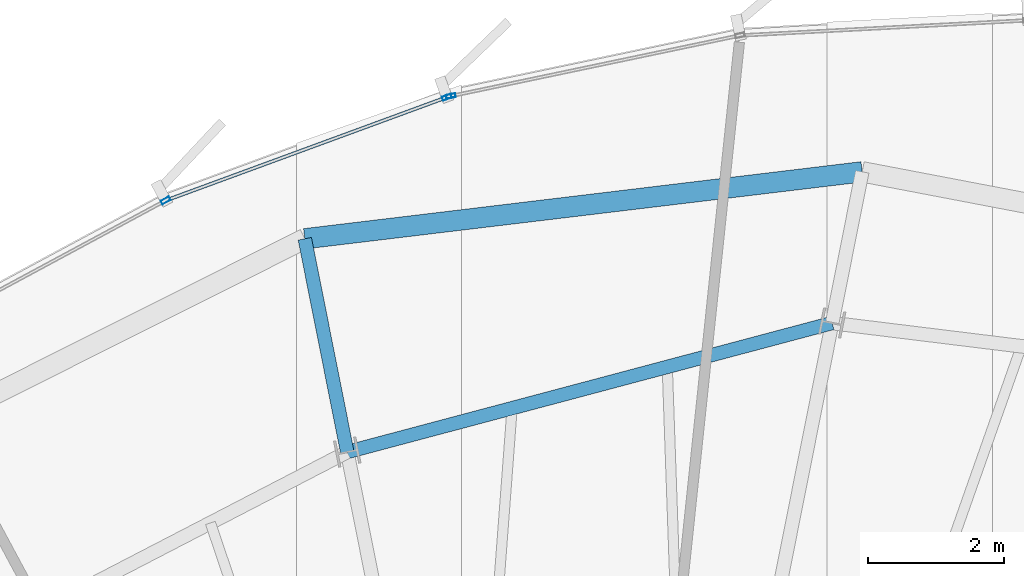
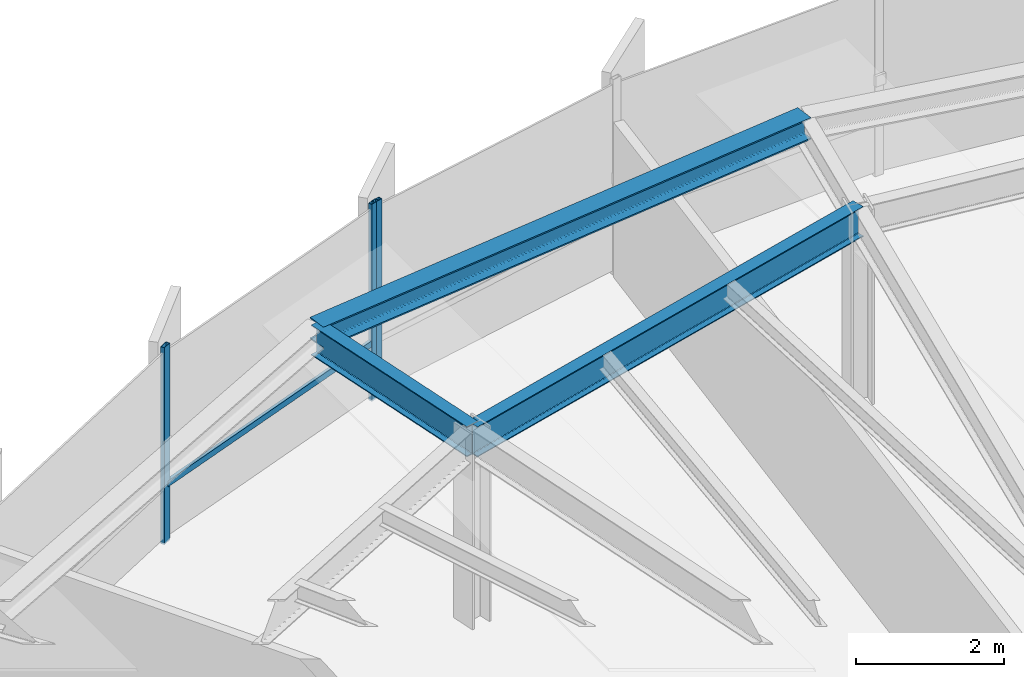
# One storey, part 24 of 36: 4 members, 3 beams, 2 elements without a shape of their own.
"""IFC4 building model written with IfcOpenShell, lengths in metres."""

from ifc_helpers import new_model, si_unit, direction, frame, origin, origin_2d, place, context, subcontext, project, spatial, hollow_rectangle, i_section, extrude, source, transform, mapped, material, layer, layer_set, material_profile, profile_set, type_object, element, aggregate, save


model = new_model("IFC4")

# Units and contexts
model_context = context("Model", 3, precision=1e-05, world=origin(), true_north=direction((0.0, 1.0)))
body_context = subcontext(model_context, "Body", "Model", "MODEL_VIEW")
ifc_project = project(units=[si_unit("LENGTHUNIT", "METRE"), si_unit("AREAUNIT", "SQUARE_METRE"), si_unit("VOLUMEUNIT", "CUBIC_METRE"), si_unit("PLANEANGLEUNIT", "RADIAN"), si_unit("MASSUNIT", "GRAM", prefix="KILO"), si_unit("THERMODYNAMICTEMPERATUREUNIT", "KELVIN")], contexts=[model_context])

# Site, building, storey
site_placement = place(None, origin())
site = spatial("IfcSite", under=ifc_project, at=site_placement, CompositionType="ELEMENT")
building_placement = place(site_placement, origin())
building = spatial("IfcBuilding", under=site, at=building_placement, Name="Kethvar Cultural Tower", CompositionType="ELEMENT")
storey_placement = place(building_placement, frame((0.0, 0.0, 197.39990234375)))
storey = spatial("IfcBuildingStorey", under=building, at=storey_placement, Name="L51", CompositionType="ELEMENT", Elevation=197.39990234375)

# Beams
ifc_material_1 = material(Name="Steel S355J2", Category="steel")
ifc_material_profile_1 = material_profile(ifc_material_1, i_section(OverallWidth=0.199951171875, OverallDepth=0.5, WebThickness=0.01025390625, FlangeThickness=0.01611328125, FilletRadius=0.02099609375, at=origin_2d()), Name="Steel S355J2 — IPE500")
ifc_profile_set_1 = profile_set([ifc_material_profile_1], Name="Steel S355J2 — IPE500")
beam_type_1 = type_object("IfcBeamType", Name="BM-IPE500", PredefinedType="BEAM", material=ifc_profile_set_1)
shared_shape_1 = source(origin(), body_context, "Body", "SweptSolid", [
    extrude(i_section(OverallWidth=0.199951171875, OverallDepth=0.5, WebThickness=0.01025390625, FlangeThickness=0.01611328125, FilletRadius=0.02099609375, at=origin_2d()), origin(), (0.0, 0.0, 1.0), 3.199951171875),
])
beam_1_placement = place(storey_placement, frame((43.420654296875, 44.789306640625, 3.008056640625), z_axis=(-0.195088965533, 0.980785550224, 0.0), x_axis=(-0.980785550224, -0.195088965533, 0.0)))
element("IfcBeam", 1, at=beam_1_placement, inside=storey, type_object=beam_type_1, Name="L51 Perimeter Cantilever Beam RC-05", PredefinedType="BEAM", context=body_context, shape_type="MappedRepresentation", body=[
    mapped(shared_shape_1, transform((0.0, 0.0, 0.0), scale=1.0)),
])
shared_shape_2 = source(origin(), body_context, "Body", "SweptSolid", [
    extrude(i_section(OverallWidth=0.199951171875, OverallDepth=0.5, WebThickness=0.01025390625, FlangeThickness=0.01611328125, FilletRadius=0.02099609375, at=origin_2d()), origin(), (0.0, 0.0, 1.0), 7.38427734375),
])
beam_2_placement = place(storey_placement, frame((50.556884765625, 46.6875, 3.008056640625), z_axis=(-0.966396628298, -0.257055552002, 0.0), x_axis=(0.257055552002, -0.966396628298, 0.0)))
element("IfcBeam", 2, at=beam_2_placement, inside=storey, type_object=beam_type_1, Name="L51 Column Ring Tie Beam CR-04", PredefinedType="BEAM", context=body_context, shape_type="MappedRepresentation", body=[
    mapped(shared_shape_2, transform((0.0, 0.0, 0.0), scale=1.0)),
])
ifc_material_profile_2 = material_profile(ifc_material_1, i_section(OverallWidth=0.300048828125, OverallDepth=0.360107421875, WebThickness=0.012451171875, FlangeThickness=0.0224609375, FilletRadius=0.027099609375, at=origin_2d()), Name="Steel S355J2 — HEB360")
ifc_profile_set_2 = profile_set([ifc_material_profile_2], Name="Steel S355J2 — HEB360")
beam_type_2 = type_object("IfcBeamType", Name="BM-SP360", PredefinedType="SPANDREL", material=ifc_profile_set_2)
shared_shape_3 = source(origin(), body_context, "Body", "SweptSolid", [
    extrude(i_section(OverallWidth=0.300048828125, OverallDepth=0.360107421875, WebThickness=0.012451171875, FlangeThickness=0.0224609375, FilletRadius=0.027099609375, at=origin_2d()), origin(), (0.0, 0.0, 1.0), 8.26220703125),
])
beam_3_placement = place(storey_placement, frame((50.99951171875, 48.9130859375, 3.078125), z_axis=(-0.992862849241, -0.119261739867, 0.0), x_axis=(0.119261739867, -0.992862849241, 0.0)))
element("IfcBeam", 3, at=beam_3_placement, inside=storey, type_object=beam_type_2, Name="L51 Perimeter Spandrel Beam SP-04", PredefinedType="SPANDREL", context=body_context, shape_type="MappedRepresentation", body=[
    mapped(shared_shape_3, transform((0.0, 0.0, 0.0), scale=1.0)),
])

# Curtain wall, member
ifc_material_2 = material(Name="Aluminium 6063-T6", Category="aluminium")
ifc_layer = layer(ifc_material_2, 0.179931640625, Name="Aluminium 6063-T6", Category="aluminium")
ifc_layer_set = layer_set([ifc_layer], Name="Aluminium 6063-T6 (180 mm)")
curtain_wall_type = type_object("IfcCurtainWallType", Name="CW-SYS-04-Z34", PredefinedType="NOTDEFINED", material=ifc_layer_set)
curtain_wall_1_placement = place(storey_placement, origin())
curtain_wall_1 = element("IfcCurtainWall", 4, at=curtain_wall_1_placement, inside=storey, type_object=curtain_wall_type, Name="L51 Curtain Wall Run 01", PredefinedType="NOTDEFINED")
ifc_material_profile_3 = material_profile(ifc_material_2, hollow_rectangle(XDim=0.06005859375, YDim=0.139892578125, WallThickness=0.0048828125, at=origin_2d()), Name="Aluminium 6063-T6 — RHS140x60x5")
ifc_profile_set_3 = profile_set([ifc_material_profile_3], Name="Aluminium 6063-T6 — RHS140x60x5")
member_type_1 = type_object("IfcMemberType", Name="CW-SYS-04-Z34-MUL", PredefinedType="MULLION", material=ifc_profile_set_3)
shared_shape_4 = source(origin(), body_context, "Body", "SweptSolid", [
    extrude(hollow_rectangle(XDim=0.06005859375, YDim=0.139892578125, WallThickness=0.0048828125, at=origin_2d()), origin(), (0.0, 0.0, 1.0), 3.260009765625),
])
member_1_placement = place(storey_placement, frame((44.946533203125, 50.02783203125, 0.0), z_axis=(0.0, 0.0, 1.0), x_axis=(0.205333115442, -0.978692143477, 0.0)))
member_1 = element("IfcMember", 5, at=member_1_placement, type_object=member_type_1, Name="CW-L51-R01 Mullion 7", PredefinedType="MULLION", context=body_context, shape_type="MappedRepresentation", body=[
    mapped(shared_shape_4, transform((0.0, 0.0, 0.0), scale=1.0)),
])
aggregate(curtain_wall_1, [member_1])

# Curtain wall, members
curtain_wall_2_placement = place(storey_placement, origin())
curtain_wall_2 = element("IfcCurtainWall", 6, at=curtain_wall_2_placement, inside=storey, type_object=curtain_wall_type, Name="L51 Curtain Wall Run 02", PredefinedType="NOTDEFINED")
member_2_placement = place(storey_placement, frame((44.886962890625, 50.0107421875, 0.0), z_axis=(0.0, 0.0, 1.0), x_axis=(0.344905053679, -0.938637578593, 0.0)))
member_2 = element("IfcMember", 7, at=member_2_placement, type_object=member_type_1, Name="CW-L51-R02 Mullion 1", PredefinedType="MULLION", context=body_context, shape_type="MappedRepresentation", body=[
    mapped(shared_shape_4, transform((0.0, 0.0, 0.0), scale=1.0)),
])
member_3_placement = place(storey_placement, frame((40.749267578125, 48.491455078125, 0.0), z_axis=(0.0, 0.0, 1.0), x_axis=(0.474011371098, -0.880518722157, 0.0)))
member_3 = element("IfcMember", 8, at=member_3_placement, type_object=member_type_1, Name="CW-L51-R02 Mullion 2", PredefinedType="MULLION", context=body_context, shape_type="MappedRepresentation", body=[
    mapped(shared_shape_4, transform((0.0, 0.0, 0.0), scale=1.0)),
])
ifc_material_profile_4 = material_profile(ifc_material_2, hollow_rectangle(XDim=0.050048828125, YDim=0.10009765625, WallThickness=0.00390625, at=origin_2d()), Name="Aluminium 6063-T6 — RHS100x50x4")
ifc_profile_set_4 = profile_set([ifc_material_profile_4], Name="Aluminium 6063-T6 — RHS100x50x4")
member_type_2 = type_object("IfcMemberType", Name="CW-SYS-04-Z34-TRN", PredefinedType="USERDEFINED", material=ifc_profile_set_4)
shared_shape_5 = source(origin(), body_context, "Body", "SweptSolid", [
    extrude(hollow_rectangle(XDim=0.050048828125, YDim=0.10009765625, WallThickness=0.00390625, at=origin_2d()), origin(), (0.0, 0.0, 1.0), 4.3759765625),
])
member_4_placement = place(storey_placement, frame((44.883056640625, 50.00927734375, 0.9501953125), z_axis=(-0.938638061822, -0.344903738599, 0.0), x_axis=(0.344903738599, -0.938638061822, 0.0)))
member_4 = element("IfcMember", 9, at=member_4_placement, type_object=member_type_2, Name="CW-L51-R02 Transom 1", ObjectType="TRANSOM", PredefinedType="USERDEFINED", context=body_context, shape_type="MappedRepresentation", body=[
    mapped(shared_shape_5, transform((0.0, 0.0, 0.0), scale=1.0)),
])
aggregate(curtain_wall_2, [member_2, member_3, member_4])

save(model, "model.ifc")
